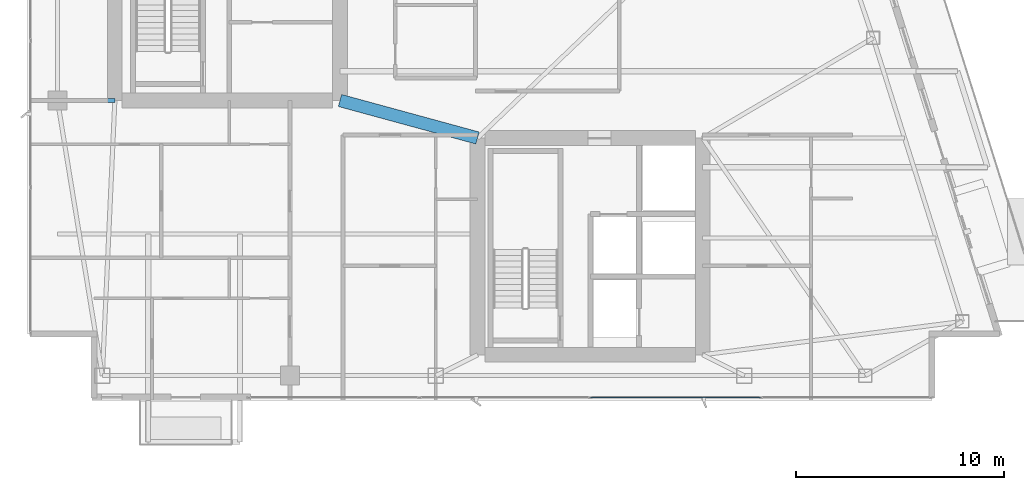
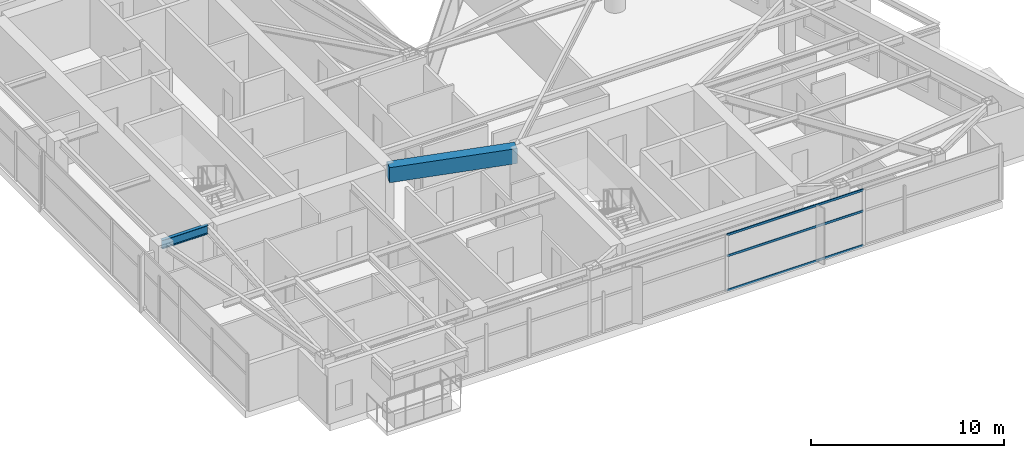
# One storey, part 7 of 28: 3 members, 2 beams, 1 element without a shape of its own.
"""IFC4 building model written with IfcOpenShell, lengths in metres."""

from ifc_helpers import new_model, si_unit, direction, frame, origin, origin_2d, place, context, subcontext, project, spatial, rectangle, hollow_rectangle, i_section, extrude, material, layer, layer_set, material_profile, profile_set, type_object, element, aggregate, save


model = new_model("IFC4")

# Units and contexts
model_context = context("Model", 3, precision=1e-05, world=origin(), true_north=direction((0.0, 1.0)))
body_context = subcontext(model_context, "Body", "Model", "MODEL_VIEW")
ifc_project = project(units=[si_unit("LENGTHUNIT", "METRE"), si_unit("AREAUNIT", "SQUARE_METRE"), si_unit("VOLUMEUNIT", "CUBIC_METRE"), si_unit("PLANEANGLEUNIT", "RADIAN"), si_unit("MASSUNIT", "GRAM", prefix="KILO")], contexts=[model_context])

# Site, building, storey
site_placement = place(None, origin())
site = spatial("IfcSite", under=ifc_project, at=site_placement, CompositionType="ELEMENT")
building_placement = place(site_placement, origin())
building = spatial("IfcBuilding", under=site, at=building_placement, Name="Calvorn Quay Hotel", CompositionType="ELEMENT")
storey_placement = place(building_placement, frame((0.0, 0.0, 243.800048828125)))
storey = spatial("IfcBuildingStorey", under=building, at=storey_placement, Name="L60", CompositionType="ELEMENT", Elevation=243.800048828125)

# Beams
ifc_material_1 = material(Name="Steel Q355B", Category="steel")
ifc_material_profile_1 = material_profile(ifc_material_1, i_section(OverallWidth=0.199951171875, OverallDepth=0.550048828125, WebThickness=0.010009765625, FlangeThickness=0.01611328125, FilletRadius=0.01806640625, at=origin_2d()), Name="HN550x200x10x16")
ifc_profile_set_1 = profile_set([ifc_material_profile_1], Name="Steel Q355B")
beam_type_1 = type_object("IfcBeamType", Name="BM-GIRD-UPP", PredefinedType="BEAM", material=ifc_profile_set_1)
beam_1_placement = place(storey_placement, frame((1.449951171875, 16.800048828125, 3.264892578125), z_axis=(1.0, 0.0, 0.0), x_axis=(0.0, 1.0, 0.0)))
element("IfcBeam", 1, at=beam_1_placement, inside=storey, type_object=beam_type_1, Name="Beam BG-L60-W1", PredefinedType="BEAM", context=body_context, shape_type="SweptSolid", body=[
    extrude(i_section(OverallWidth=0.199951171875, OverallDepth=0.550048828125, WebThickness=0.010009765625, FlangeThickness=0.01611328125, FilletRadius=0.01806640625, at=origin_2d()), origin(), (0.0, 0.0, 1.0), 2.75),
])
ifc_material_2 = material(Name="Concrete C45", Category="concrete")
ifc_material_profile_2 = material_profile(ifc_material_2, rectangle(XDim=0.60009765625, YDim=0.949951171875, at=origin_2d()), Name="RCB600x950")
ifc_profile_set_2 = profile_set([ifc_material_profile_2], Name="Concrete C45")
beam_type_2 = type_object("IfcBeamType", Name="BM-RC-LINK-600x950", PredefinedType="BEAM", material=ifc_profile_set_2)
beam_2_placement = place(storey_placement, frame((15.0, 16.800048828125, 3.06494140625), z_axis=(0.964762997686, -0.263120425462, 0.0), x_axis=(0.263120425462, 0.964762997686, 0.0)))
element("IfcBeam", 2, at=beam_2_placement, inside=storey, type_object=beam_type_2, Name="Beam BCL-L60-01", PredefinedType="BEAM", context=body_context, shape_type="SweptSolid", body=[
    extrude(rectangle(XDim=0.60009765625, YDim=0.949951171875, at=origin_2d()), origin(), (0.0, 0.0, 1.0), 6.841064453125),
])

# Curtain wall, members
ifc_material_3 = material(Name="Champagne Bronze Anodised Aluminium and Low-E Glass", Category="aluminium")
ifc_layer = layer(ifc_material_3, 0.219970703125)
ifc_layer_set = layer_set([ifc_layer], Name="CW-SYS-Z3")
curtain_wall_type = type_object("IfcCurtainWallType", Name="CW-SYS-Z3", PredefinedType="NOTDEFINED", material=ifc_layer_set)
curtain_wall_placement = place(storey_placement, origin())
curtain_wall = element("IfcCurtainWall", 3, at=curtain_wall_placement, inside=storey, type_object=curtain_wall_type, Name="Tower South Waterfront Curtain Wall (L60)", PredefinedType="NOTDEFINED")
ifc_material_4 = material(Name="Champagne Bronze Anodised Aluminium 6063-T6", Category="aluminium")
ifc_material_profile_3 = material_profile(ifc_material_4, hollow_rectangle(XDim=0.05810546875, YDim=0.139892578125, WallThickness=0.003173828125, at=origin_2d()), Name="ALU-T140x58x3.2")
ifc_profile_set_3 = profile_set([ifc_material_profile_3], Name="Champagne Bronze Anodised Aluminium 6063-T6")
member_type = type_object("IfcMemberType", Name="CW-SYS-Z3-TRN", PredefinedType="USERDEFINED", material=ifc_profile_set_3)
member_1_placement = place(storey_placement, frame((27.030029296875, 2.550048828125, 0.030029296875), z_axis=(1.0, 0.0, 0.0), x_axis=(0.0, 1.0, 0.0)))
member_1 = element("IfcMember", 4, at=member_1_placement, type_object=member_type, Name="CW-L60-S transom 3.1", ObjectType="TRANSOM", PredefinedType="USERDEFINED", context=body_context, shape_type="SweptSolid", body=[
    extrude(hollow_rectangle(XDim=0.05810546875, YDim=0.139892578125, WallThickness=0.003173828125, at=origin_2d()), origin(), (0.0, 0.0, 1.0), 8.139892578125),
])
member_2_placement = place(storey_placement, frame((27.030029296875, 2.550048828125, 2.199951171875), z_axis=(1.0, 0.0, 0.0), x_axis=(0.0, 1.0, 0.0)))
member_2 = element("IfcMember", 5, at=member_2_placement, type_object=member_type, Name="CW-L60-S transom 3.2", ObjectType="TRANSOM", PredefinedType="USERDEFINED", context=body_context, shape_type="SweptSolid", body=[
    extrude(hollow_rectangle(XDim=0.05810546875, YDim=0.139892578125, WallThickness=0.003173828125, at=origin_2d()), origin(), (0.0, 0.0, 1.0), 8.139892578125),
])
member_3_placement = place(storey_placement, frame((27.030029296875, 2.550048828125, 3.530029296875), z_axis=(1.0, 0.0, 0.0), x_axis=(0.0, 1.0, 0.0)))
member_3 = element("IfcMember", 6, at=member_3_placement, type_object=member_type, Name="CW-L60-S transom 3.3", ObjectType="TRANSOM", PredefinedType="USERDEFINED", context=body_context, shape_type="SweptSolid", body=[
    extrude(hollow_rectangle(XDim=0.05810546875, YDim=0.139892578125, WallThickness=0.003173828125, at=origin_2d()), origin(), (0.0, 0.0, 1.0), 8.139892578125),
])
aggregate(curtain_wall, [member_1, member_2, member_3])

save(model, "model.ifc")
